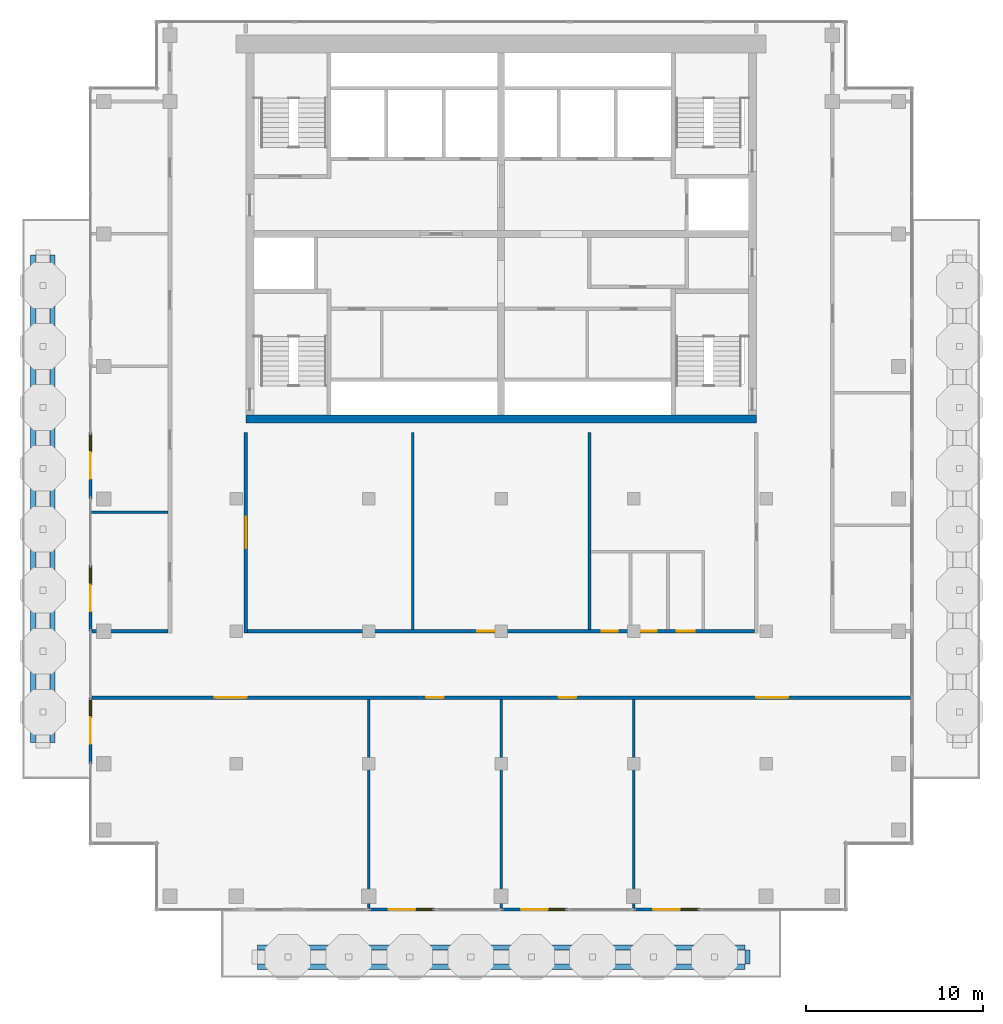
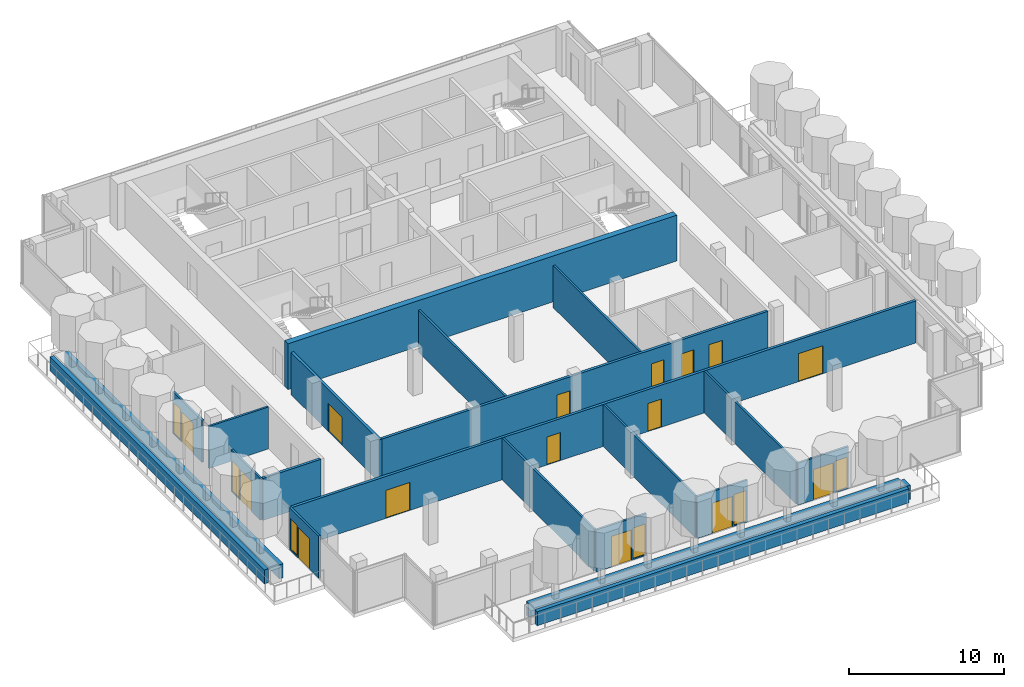
# One storey, part 6 of 12: 22 walls, 15 doors, 6 windows, 21 openings.
"""IFC4 building model written with IfcOpenShell, lengths in metres."""

from ifc_helpers import new_model, si_unit, direction, frame, frame_2d, origin, place, context, subcontext, project, spatial, rectangle, extrude, material, layer, layer_set, type_object, element, fill, save


model = new_model("IFC4")

# Units and contexts
model_context = context("Model", 3, precision=1e-05, world=origin(), true_north=direction((0.0, 1.0)))
body_context = subcontext(model_context, "Body", "Model", "MODEL_VIEW")
ifc_project = project(units=[si_unit("LENGTHUNIT", "METRE"), si_unit("AREAUNIT", "SQUARE_METRE"), si_unit("VOLUMEUNIT", "CUBIC_METRE"), si_unit("PLANEANGLEUNIT", "RADIAN"), si_unit("MASSUNIT", "GRAM", prefix="KILO")], contexts=[model_context])

# Site, building, storey
site_placement = place(None, origin())
site = spatial("IfcSite", under=ifc_project, at=site_placement, CompositionType="ELEMENT")
building_placement = place(site_placement, origin())
building = spatial("IfcBuilding", under=site, at=building_placement, Name="Pilkhan Gate Tower", CompositionType="ELEMENT")
storey_placement = place(building_placement, frame((0.0, 0.0, 258.5)))
storey = spatial("IfcBuildingStorey", under=building, at=storey_placement, Name="L67", CompositionType="ELEMENT", Elevation=258.5)

# Wall
ifc_material_1 = material(Name="Concrete C50/60", Category="concrete")
ifc_layer_1 = layer(ifc_material_1, 0.449951171875)
ifc_layer_set_1 = layer_set([ifc_layer_1], Name="Core wall CW450 C50/60")
wall_type_1 = type_object("IfcWallType", Name="Core wall CW450 C50/60", PredefinedType="SHEAR", material=ifc_layer_set_1)
wall_1_placement = place(storey_placement, frame((60.550048828125, 72.02490234375, 0.0), z_axis=(0.0, 0.0, 1.0), x_axis=(1.0, 0.0, 0.0)))
element("IfcWall", 1, at=wall_1_placement, inside=storey, type_object=wall_type_1, Name="Core wall S L67", PredefinedType="SHEAR", context=body_context, shape_type="SweptSolid", body=[
    extrude(rectangle(XDim=28.89990234375, YDim=0.449951171875, at=frame_2d((14.449951171875, 0.0))), origin(), (0.0, 0.0, 1.0), 3.60009765625),
])

# Wall, openings, doors
ifc_material_2 = material(Name="Dense blockwork", Category="masonry")
ifc_layer_2 = layer(ifc_material_2, 0.199951171875)
ifc_layer_set_2 = layer_set([ifc_layer_2], Name="Corridor wall FW200")
wall_type_2 = type_object("IfcWallType", Name="Corridor wall FW200", PredefinedType="PARTITIONING", material=ifc_layer_set_2)
wall_2_placement = place(storey_placement, frame((51.8349609375, 56.25, 0.0), z_axis=(0.0, 0.0, 1.0), x_axis=(1.0, 0.0, 0.0)))
wall_2 = element("IfcWall", 2, at=wall_2_placement, inside=storey, type_object=wall_type_2, Name="Partition L67", PredefinedType="PARTITIONING", context=body_context, shape_type="SweptSolid", body=[
    extrude(rectangle(XDim=46.330078125, YDim=0.199951171875, at=frame_2d((23.1650390625, 0.0))), origin(), (0.0, 0.0, 1.0), 3.300048828125),
])
opening_1_placement = place(wall_2_placement, frame((6.949951171875, 0.0, 0.0)))
opening_1 = element("IfcOpeningElement", 3, at=opening_1_placement, cuts=wall_2, Name="Opening L67-06", PredefinedType="OPENING", context=body_context, shape_type="SweptSolid", body=[
    extrude(rectangle(XDim=1.800048828125, YDim=2.199951171875, at=frame_2d((0.89990234375, 1.10009765625))), frame((0.0, 0.10986328125, 0.0), z_axis=(0.0, -1.0, 0.0), x_axis=(1.0, 0.0, 0.0)), (0.0, 0.0, 1.0), 0.219970703125),
])
opening_2_placement = place(wall_2_placement, frame((37.614990234375, 0.0, 0.0)))
opening_2 = element("IfcOpeningElement", 4, at=opening_2_placement, cuts=wall_2, Name="Opening L67-07", PredefinedType="OPENING", context=body_context, shape_type="SweptSolid", body=[
    extrude(rectangle(XDim=1.800048828125, YDim=2.199951171875, at=frame_2d((0.89990234375, 1.10009765625))), frame((0.0, 0.10986328125, 0.0), z_axis=(0.0, -1.0, 0.0), x_axis=(1.0, 0.0, 0.0)), (0.0, 0.0, 1.0), 0.219970703125),
])
opening_3_placement = place(wall_2_placement, frame((18.9150390625, 0.0, 0.0)))
opening_3 = element("IfcOpeningElement", 5, at=opening_3_placement, cuts=wall_2, Name="Opening L67-31", PredefinedType="OPENING", context=body_context, shape_type="SweptSolid", body=[
    extrude(rectangle(XDim=1.0, YDim=2.199951171875, at=frame_2d((0.5, 1.10009765625))), frame((0.0, 0.10986328125, 0.0), z_axis=(0.0, -1.0, 0.0), x_axis=(1.0, 0.0, 0.0)), (0.0, 0.0, 1.0), 0.219970703125),
])
opening_4_placement = place(wall_2_placement, frame((26.4150390625, 0.0, 0.0)))
opening_4 = element("IfcOpeningElement", 6, at=opening_4_placement, cuts=wall_2, Name="Opening L67-32", PredefinedType="OPENING", context=body_context, shape_type="SweptSolid", body=[
    extrude(rectangle(XDim=1.0, YDim=2.199951171875, at=frame_2d((0.5, 1.10009765625))), frame((0.0, 0.10986328125, 0.0), z_axis=(0.0, -1.0, 0.0), x_axis=(1.0, 0.0, 0.0)), (0.0, 0.0, 1.0), 0.219970703125),
])
ifc_material_3 = material(Name="Timber glazed double door, 30 minute fire resisting", Category="wood")
door_type_1 = type_object("IfcDoorType", Name="Double door D04 1800x2200", OperationType="DOUBLE_DOOR_SINGLE_SWING", PredefinedType="DOOR", material=ifc_material_3)
door_1_placement = place(opening_1_placement, origin())
door_1 = element("IfcDoor", 7, at=door_1_placement, inside=storey, type_object=door_type_1, Name="Double door", OperationType="DOUBLE_DOOR_SINGLE_SWING", OverallHeight=2.199951171875, OverallWidth=1.800048828125, PredefinedType="DOOR", context=body_context, shape_type="SweptSolid", body=[
    extrude(rectangle(XDim=1.800048828125, YDim=2.199951171875, at=frame_2d((0.89990234375, 1.10009765625))), frame((0.0, 0.02490234375, 0.0), z_axis=(0.0, -1.0, 0.0), x_axis=(1.0, 0.0, 0.0)), (0.0, 0.0, 1.0), 0.050048828125),
])
fill(opening_1, door_1)
door_2_placement = place(opening_2_placement, origin())
door_2 = element("IfcDoor", 8, at=door_2_placement, inside=storey, type_object=door_type_1, Name="Double door", OperationType="DOUBLE_DOOR_SINGLE_SWING", OverallHeight=2.199951171875, OverallWidth=1.800048828125, PredefinedType="DOOR", context=body_context, shape_type="SweptSolid", body=[
    extrude(rectangle(XDim=1.800048828125, YDim=2.199951171875, at=frame_2d((0.89990234375, 1.10009765625))), frame((0.0, 0.02490234375, 0.0), z_axis=(0.0, -1.0, 0.0), x_axis=(1.0, 0.0, 0.0)), (0.0, 0.0, 1.0), 0.050048828125),
])
fill(opening_2, door_2)
ifc_material_4 = material(Name="Timber flush door, 30 minute fire resisting", Category="wood")
door_type_2 = type_object("IfcDoorType", Name="Room door D03 1000x2200", OperationType="SINGLE_SWING_LEFT", PredefinedType="DOOR", material=ifc_material_4)
door_3_placement = place(opening_3_placement, origin())
door_3 = element("IfcDoor", 9, at=door_3_placement, inside=storey, type_object=door_type_2, Name="Room door", OperationType="SINGLE_SWING_LEFT", OverallHeight=2.199951171875, OverallWidth=1.0, PredefinedType="DOOR", context=body_context, shape_type="SweptSolid", body=[
    extrude(rectangle(XDim=1.0, YDim=2.199951171875, at=frame_2d((0.5, 1.10009765625))), frame((0.0, 0.02490234375, 0.0), z_axis=(0.0, -1.0, 0.0), x_axis=(1.0, 0.0, 0.0)), (0.0, 0.0, 1.0), 0.050048828125),
])
fill(opening_3, door_3)
door_4_placement = place(opening_4_placement, origin())
door_4 = element("IfcDoor", 10, at=door_4_placement, inside=storey, type_object=door_type_2, Name="Room door", OperationType="SINGLE_SWING_LEFT", OverallHeight=2.199951171875, OverallWidth=1.0, PredefinedType="DOOR", context=body_context, shape_type="SweptSolid", body=[
    extrude(rectangle(XDim=1.0, YDim=2.199951171875, at=frame_2d((0.5, 1.10009765625))), frame((0.0, 0.02490234375, 0.0), z_axis=(0.0, -1.0, 0.0), x_axis=(1.0, 0.0, 0.0)), (0.0, 0.0, 1.0), 0.050048828125),
])
fill(opening_4, door_4)

# Wall
wall_3_placement = place(storey_placement, frame((51.8349609375, 60.0, 0.0), z_axis=(0.0, 0.0, 1.0), x_axis=(1.0, 0.0, 0.0)))
element("IfcWall", 11, at=wall_3_placement, inside=storey, type_object=wall_type_2, Name="Partition L67", PredefinedType="PARTITIONING", context=body_context, shape_type="SweptSolid", body=[
    extrude(rectangle(XDim=4.31494140625, YDim=0.199951171875, at=frame_2d((2.157470703125, 0.0))), origin(), (0.0, 0.0, 1.0), 3.300048828125),
])

# Wall, openings, doors
wall_4_placement = place(storey_placement, frame((60.64990234375, 60.0, 0.0), z_axis=(0.0, 0.0, 1.0), x_axis=(1.0, 0.0, 0.0)))
wall_4 = element("IfcWall", 12, at=wall_4_placement, inside=storey, type_object=wall_type_2, Name="Partition L67", PredefinedType="PARTITIONING", context=body_context, shape_type="SweptSolid", body=[
    extrude(rectangle(XDim=28.7001953125, YDim=0.199951171875, at=frame_2d((14.35009765625, 0.0))), origin(), (0.0, 0.0, 1.0), 3.300048828125),
])
opening_5_placement = place(wall_4_placement, frame((13.0, 0.0, 0.0)))
opening_5 = element("IfcOpeningElement", 13, at=opening_5_placement, cuts=wall_4, Name="Opening L67-16", PredefinedType="OPENING", context=body_context, shape_type="SweptSolid", body=[
    extrude(rectangle(XDim=1.0, YDim=2.199951171875, at=frame_2d((0.5, 1.10009765625))), frame((0.0, 0.10986328125, 0.0), z_axis=(0.0, -1.0, 0.0), x_axis=(1.0, 0.0, 0.0)), (0.0, 0.0, 1.0), 0.219970703125),
])
opening_6_placement = place(wall_4_placement, frame((20.050048828125, 0.0, 0.0)))
opening_6 = element("IfcOpeningElement", 14, at=opening_6_placement, cuts=wall_4, Name="Opening L67-17", PredefinedType="OPENING", context=body_context, shape_type="SweptSolid", body=[
    extrude(rectangle(XDim=0.89990234375, YDim=2.199951171875, at=frame_2d((0.449951171875, 1.10009765625))), frame((0.0, 0.10986328125, 0.0), z_axis=(0.0, -1.0, 0.0), x_axis=(1.0, 0.0, 0.0)), (0.0, 0.0, 1.0), 0.219970703125),
])
opening_7_placement = place(wall_4_placement, frame((22.27197265625, 0.0, 0.0)))
opening_7 = element("IfcOpeningElement", 15, at=opening_7_placement, cuts=wall_4, Name="Opening L67-18", PredefinedType="OPENING", context=body_context, shape_type="SweptSolid", body=[
    extrude(rectangle(XDim=0.89990234375, YDim=2.199951171875, at=frame_2d((0.449951171875, 1.10009765625))), frame((0.0, 0.10986328125, 0.0), z_axis=(0.0, -1.0, 0.0), x_axis=(1.0, 0.0, 0.0)), (0.0, 0.0, 1.0), 0.219970703125),
])
opening_8_placement = place(wall_4_placement, frame((24.300048828125, 0.0, 0.0)))
opening_8 = element("IfcOpeningElement", 16, at=opening_8_placement, cuts=wall_4, Name="Opening L67-19", PredefinedType="OPENING", context=body_context, shape_type="SweptSolid", body=[
    extrude(rectangle(XDim=1.0, YDim=2.199951171875, at=frame_2d((0.5, 1.10009765625))), frame((0.0, 0.10986328125, 0.0), z_axis=(0.0, -1.0, 0.0), x_axis=(1.0, 0.0, 0.0)), (0.0, 0.0, 1.0), 0.219970703125),
])
ifc_material_5 = material(Name="Timber flush door, outward opening, 30 minute fire resisting", Category="wood")
door_type_3 = type_object("IfcDoorType", Name="Accessible toilet door D07 1000x2200", OperationType="SINGLE_SWING_LEFT", PredefinedType="DOOR", material=ifc_material_5)
door_5_placement = place(opening_8_placement, origin())
door_5 = element("IfcDoor", 17, at=door_5_placement, inside=storey, type_object=door_type_3, Name="Accessible toilet door", OperationType="SINGLE_SWING_LEFT", OverallHeight=2.199951171875, OverallWidth=1.0, PredefinedType="DOOR", context=body_context, shape_type="SweptSolid", body=[
    extrude(rectangle(XDim=1.0, YDim=2.199951171875, at=frame_2d((0.5, 1.10009765625))), frame((0.0, 0.02490234375, 0.0), z_axis=(0.0, -1.0, 0.0), x_axis=(1.0, 0.0, 0.0)), (0.0, 0.0, 1.0), 0.050048828125),
])
fill(opening_8, door_5)
door_6_placement = place(opening_5_placement, origin())
door_6 = element("IfcDoor", 18, at=door_6_placement, inside=storey, type_object=door_type_2, Name="Room door", OperationType="SINGLE_SWING_LEFT", OverallHeight=2.199951171875, OverallWidth=1.0, PredefinedType="DOOR", context=body_context, shape_type="SweptSolid", body=[
    extrude(rectangle(XDim=1.0, YDim=2.199951171875, at=frame_2d((0.5, 1.10009765625))), frame((0.0, 0.02490234375, 0.0), z_axis=(0.0, -1.0, 0.0), x_axis=(1.0, 0.0, 0.0)), (0.0, 0.0, 1.0), 0.050048828125),
])
fill(opening_5, door_6)
door_type_4 = type_object("IfcDoorType", Name="Toilet door D06 900x2200", OperationType="SINGLE_SWING_LEFT", PredefinedType="DOOR", material=ifc_material_4)
door_7_placement = place(opening_6_placement, origin())
door_7 = element("IfcDoor", 19, at=door_7_placement, inside=storey, type_object=door_type_4, Name="Toilet door", OperationType="SINGLE_SWING_RIGHT", OverallHeight=2.199951171875, OverallWidth=0.89990234375, PredefinedType="DOOR", context=body_context, shape_type="SweptSolid", body=[
    extrude(rectangle(XDim=0.89990234375, YDim=2.199951171875, at=frame_2d((0.449951171875, 1.10009765625))), frame((0.0, 0.02490234375, 0.0), z_axis=(0.0, -1.0, 0.0), x_axis=(1.0, 0.0, 0.0)), (0.0, 0.0, 1.0), 0.050048828125),
])
fill(opening_6, door_7)
door_8_placement = place(opening_7_placement, origin())
door_8 = element("IfcDoor", 20, at=door_8_placement, inside=storey, type_object=door_type_4, Name="Toilet door", OperationType="SINGLE_SWING_LEFT", OverallHeight=2.199951171875, OverallWidth=0.89990234375, PredefinedType="DOOR", context=body_context, shape_type="SweptSolid", body=[
    extrude(rectangle(XDim=0.89990234375, YDim=2.199951171875, at=frame_2d((0.449951171875, 1.10009765625))), frame((0.0, 0.02490234375, 0.0), z_axis=(0.0, -1.0, 0.0), x_axis=(1.0, 0.0, 0.0)), (0.0, 0.0, 1.0), 0.050048828125),
])
fill(opening_7, door_8)

# Wall, opening, door
wall_5_placement = place(storey_placement, frame((60.550048828125, 59.89990234375, 0.0), z_axis=(0.0, 0.0, 1.0), x_axis=(0.0, 1.0, 0.0)))
wall_5 = element("IfcWall", 21, at=wall_5_placement, inside=storey, type_object=wall_type_2, Name="Partition L67", PredefinedType="PARTITIONING", context=body_context, shape_type="SweptSolid", body=[
    extrude(rectangle(XDim=11.35009765625, YDim=0.199951171875, at=frame_2d((5.675048828125, 0.0))), origin(), (0.0, 0.0, 1.0), 3.300048828125),
])
opening_9_placement = place(wall_5_placement, frame((4.800048828125, 0.0, 0.0)))
opening_9 = element("IfcOpeningElement", 22, at=opening_9_placement, cuts=wall_5, Name="Opening L67-15", PredefinedType="OPENING", context=body_context, shape_type="SweptSolid", body=[
    extrude(rectangle(XDim=1.800048828125, YDim=2.199951171875, at=frame_2d((0.89990234375, 1.10009765625))), frame((0.0, 0.10986328125, 0.0), z_axis=(0.0, -1.0, 0.0), x_axis=(1.0, 0.0, 0.0)), (0.0, 0.0, 1.0), 0.219970703125),
])
door_9_placement = place(opening_9_placement, origin())
door_9 = element("IfcDoor", 23, at=door_9_placement, inside=storey, type_object=door_type_1, Name="Double door", OperationType="DOUBLE_DOOR_SINGLE_SWING", OverallHeight=2.199951171875, OverallWidth=1.800048828125, PredefinedType="DOOR", context=body_context, shape_type="SweptSolid", body=[
    extrude(rectangle(XDim=1.800048828125, YDim=2.199951171875, at=frame_2d((0.89990234375, 1.10009765625))), frame((0.0, 0.02490234375, 0.0), z_axis=(0.0, -1.0, 0.0), x_axis=(1.0, 0.0, 0.0)), (0.0, 0.0, 1.0), 0.050048828125),
])
fill(opening_9, door_9)

# Wall, openings, door, window
ifc_material_6 = material(Name="Pale anodised aluminium, clear laminated glazing", Category="aluminium")
ifc_layer_3 = layer(ifc_material_6, 0.14990234375)
ifc_layer_set_3 = layer_set([ifc_layer_3], Name="Facade infill wall IW150")
wall_type_3 = type_object("IfcWallType", Name="Facade infill wall IW150", PredefinedType="SOLIDWALL", material=ifc_layer_set_3)
wall_6_placement = place(storey_placement, frame((51.75, 52.5, 0.0), z_axis=(0.0, 0.0, 1.0), x_axis=(0.0, 1.0, 0.0)))
wall_6 = element("IfcWall", 24, at=wall_6_placement, inside=storey, type_object=wall_type_3, Name="Infill wall L67 W", PredefinedType="SOLIDWALL", context=body_context, shape_type="SweptSolid", body=[
    extrude(rectangle(XDim=3.75, YDim=0.14990234375, at=frame_2d((1.875, 0.0))), origin(), (0.0, 0.0, 1.0), 3.300048828125),
])
opening_10_placement = place(wall_6_placement, frame((1.125, 0.0, 0.0)))
opening_10 = element("IfcOpeningElement", 25, at=opening_10_placement, cuts=wall_6, Name="Opening D5", PredefinedType="OPENING", context=body_context, shape_type="SweptSolid", body=[
    extrude(rectangle(XDim=1.5, YDim=2.39990234375, at=frame_2d((0.75, 1.199951171875))), frame((0.0, 0.0849609375, 0.0), z_axis=(0.0, -1.0, 0.0), x_axis=(1.0, 0.0, 0.0)), (0.0, 0.0, 1.0), 0.169921875),
])
opening_11_placement = place(wall_6_placement, frame((2.737548828125, 0.0, 0.10009765625)))
opening_11 = element("IfcOpeningElement", 26, at=opening_11_placement, cuts=wall_6, Name="Opening W1", PredefinedType="OPENING", context=body_context, shape_type="SweptSolid", body=[
    extrude(rectangle(XDim=0.89990234375, YDim=2.39990234375, at=frame_2d((0.449951171875, 1.199951171875))), frame((0.0, 0.0849609375, 0.0), z_axis=(0.0, -1.0, 0.0), x_axis=(1.0, 0.0, 0.0)), (0.0, 0.0, 1.0), 0.169921875),
])
ifc_material_7 = material(Name="Pale anodised aluminium, clear glazing", Category="aluminium")
door_type_5 = type_object("IfcDoorType", Name="Terrace door D5 1500x2400", OperationType="DOUBLE_DOOR_SINGLE_SWING", PredefinedType="DOOR", material=ifc_material_7)
door_10_placement = place(opening_10_placement, origin())
door_10 = element("IfcDoor", 27, at=door_10_placement, inside=storey, type_object=door_type_5, Name="Terrace door L67", OperationType="DOUBLE_DOOR_SINGLE_SWING", OverallHeight=2.39990234375, OverallWidth=1.5, PredefinedType="DOOR", context=body_context, shape_type="SweptSolid", body=[
    extrude(rectangle(XDim=1.5, YDim=2.39990234375, at=frame_2d((0.75, 1.199951171875))), frame((0.0, 0.02490234375, 0.0), z_axis=(0.0, -1.0, 0.0), x_axis=(1.0, 0.0, 0.0)), (0.0, 0.0, 1.0), 0.050048828125),
])
fill(opening_10, door_10)
ifc_material_8 = material(Name="Pale anodised aluminium, clear double glazing", Category="aluminium")
window_type = type_object("IfcWindowType", Name="Window W1 900x2400", PartitioningType="SINGLE_PANEL", PredefinedType="WINDOW", material=ifc_material_8)
window_1_placement = place(opening_11_placement, origin())
window_1 = element("IfcWindow", 28, at=window_1_placement, inside=storey, type_object=window_type, Name="Window L67", OverallHeight=2.39990234375, OverallWidth=0.89990234375, PartitioningType="SINGLE_PANEL", PredefinedType="WINDOW", context=body_context, shape_type="SweptSolid", body=[
    extrude(rectangle(XDim=0.89990234375, YDim=2.39990234375, at=frame_2d((0.449951171875, 1.199951171875))), frame((0.0, 0.030029296875, 0.0), z_axis=(0.0, -1.0, 0.0), x_axis=(1.0, 0.0, 0.0)), (0.0, 0.0, 1.0), 0.06005859375),
])
fill(opening_11, window_1)

wall_7_placement = place(storey_placement, frame((51.75, 60.0, 0.0), z_axis=(0.0, 0.0, 1.0), x_axis=(0.0, 1.0, 0.0)))
wall_7 = element("IfcWall", 29, at=wall_7_placement, inside=storey, type_object=wall_type_3, Name="Infill wall L67 W", PredefinedType="SOLIDWALL", context=body_context, shape_type="SweptSolid", body=[
    extrude(rectangle(XDim=3.75, YDim=0.14990234375, at=frame_2d((1.875, 0.0))), origin(), (0.0, 0.0, 1.0), 3.300048828125),
])
opening_12_placement = place(wall_7_placement, frame((1.125, 0.0, 0.0)))
opening_12 = element("IfcOpeningElement", 30, at=opening_12_placement, cuts=wall_7, Name="Opening D5", PredefinedType="OPENING", context=body_context, shape_type="SweptSolid", body=[
    extrude(rectangle(XDim=1.5, YDim=2.39990234375, at=frame_2d((0.75, 1.199951171875))), frame((0.0, 0.0849609375, 0.0), z_axis=(0.0, -1.0, 0.0), x_axis=(1.0, 0.0, 0.0)), (0.0, 0.0, 1.0), 0.169921875),
])
opening_13_placement = place(wall_7_placement, frame((2.737548828125, 0.0, 0.10009765625)))
opening_13 = element("IfcOpeningElement", 31, at=opening_13_placement, cuts=wall_7, Name="Opening W1", PredefinedType="OPENING", context=body_context, shape_type="SweptSolid", body=[
    extrude(rectangle(XDim=0.89990234375, YDim=2.39990234375, at=frame_2d((0.449951171875, 1.199951171875))), frame((0.0, 0.0849609375, 0.0), z_axis=(0.0, -1.0, 0.0), x_axis=(1.0, 0.0, 0.0)), (0.0, 0.0, 1.0), 0.169921875),
])
door_11_placement = place(opening_12_placement, origin())
door_11 = element("IfcDoor", 32, at=door_11_placement, inside=storey, type_object=door_type_5, Name="Terrace door L67", OperationType="DOUBLE_DOOR_SINGLE_SWING", OverallHeight=2.39990234375, OverallWidth=1.5, PredefinedType="DOOR", context=body_context, shape_type="SweptSolid", body=[
    extrude(rectangle(XDim=1.5, YDim=2.39990234375, at=frame_2d((0.75, 1.199951171875))), frame((0.0, 0.02490234375, 0.0), z_axis=(0.0, -1.0, 0.0), x_axis=(1.0, 0.0, 0.0)), (0.0, 0.0, 1.0), 0.050048828125),
])
fill(opening_12, door_11)
window_2_placement = place(opening_13_placement, origin())
window_2 = element("IfcWindow", 33, at=window_2_placement, inside=storey, type_object=window_type, Name="Window L67", OverallHeight=2.39990234375, OverallWidth=0.89990234375, PartitioningType="SINGLE_PANEL", PredefinedType="WINDOW", context=body_context, shape_type="SweptSolid", body=[
    extrude(rectangle(XDim=0.89990234375, YDim=2.39990234375, at=frame_2d((0.449951171875, 1.199951171875))), frame((0.0, 0.030029296875, 0.0), z_axis=(0.0, -1.0, 0.0), x_axis=(1.0, 0.0, 0.0)), (0.0, 0.0, 1.0), 0.06005859375),
])
fill(opening_13, window_2)

wall_8_placement = place(storey_placement, frame((51.75, 67.5, 0.0), z_axis=(0.0, 0.0, 1.0), x_axis=(0.0, 1.0, 0.0)))
wall_8 = element("IfcWall", 34, at=wall_8_placement, inside=storey, type_object=wall_type_3, Name="Infill wall L67 W", PredefinedType="SOLIDWALL", context=body_context, shape_type="SweptSolid", body=[
    extrude(rectangle(XDim=3.75, YDim=0.14990234375, at=frame_2d((1.875, 0.0))), origin(), (0.0, 0.0, 1.0), 3.300048828125),
])
opening_14_placement = place(wall_8_placement, frame((1.125, 0.0, 0.0)))
opening_14 = element("IfcOpeningElement", 35, at=opening_14_placement, cuts=wall_8, Name="Opening D5", PredefinedType="OPENING", context=body_context, shape_type="SweptSolid", body=[
    extrude(rectangle(XDim=1.5, YDim=2.39990234375, at=frame_2d((0.75, 1.199951171875))), frame((0.0, 0.0849609375, 0.0), z_axis=(0.0, -1.0, 0.0), x_axis=(1.0, 0.0, 0.0)), (0.0, 0.0, 1.0), 0.169921875),
])
opening_15_placement = place(wall_8_placement, frame((2.737548828125, 0.0, 0.10009765625)))
opening_15 = element("IfcOpeningElement", 36, at=opening_15_placement, cuts=wall_8, Name="Opening W1", PredefinedType="OPENING", context=body_context, shape_type="SweptSolid", body=[
    extrude(rectangle(XDim=0.89990234375, YDim=2.39990234375, at=frame_2d((0.449951171875, 1.199951171875))), frame((0.0, 0.0849609375, 0.0), z_axis=(0.0, -1.0, 0.0), x_axis=(1.0, 0.0, 0.0)), (0.0, 0.0, 1.0), 0.169921875),
])
door_12_placement = place(opening_14_placement, origin())
door_12 = element("IfcDoor", 37, at=door_12_placement, inside=storey, type_object=door_type_5, Name="Terrace door L67", OperationType="DOUBLE_DOOR_SINGLE_SWING", OverallHeight=2.39990234375, OverallWidth=1.5, PredefinedType="DOOR", context=body_context, shape_type="SweptSolid", body=[
    extrude(rectangle(XDim=1.5, YDim=2.39990234375, at=frame_2d((0.75, 1.199951171875))), frame((0.0, 0.02490234375, 0.0), z_axis=(0.0, -1.0, 0.0), x_axis=(1.0, 0.0, 0.0)), (0.0, 0.0, 1.0), 0.050048828125),
])
fill(opening_14, door_12)
window_3_placement = place(opening_15_placement, origin())
window_3 = element("IfcWindow", 38, at=window_3_placement, inside=storey, type_object=window_type, Name="Window L67", OverallHeight=2.39990234375, OverallWidth=0.89990234375, PartitioningType="SINGLE_PANEL", PredefinedType="WINDOW", context=body_context, shape_type="SweptSolid", body=[
    extrude(rectangle(XDim=0.89990234375, YDim=2.39990234375, at=frame_2d((0.449951171875, 1.199951171875))), frame((0.0, 0.030029296875, 0.0), z_axis=(0.0, -1.0, 0.0), x_axis=(1.0, 0.0, 0.0)), (0.0, 0.0, 1.0), 0.06005859375),
])
fill(opening_15, window_3)

wall_9_placement = place(storey_placement, frame((71.25, 44.25, 0.0), z_axis=(0.0, 0.0, 1.0), x_axis=(-1.0, 0.0, 0.0)))
wall_9 = element("IfcWall", 39, at=wall_9_placement, inside=storey, type_object=wall_type_3, Name="Infill wall L67 S", PredefinedType="SOLIDWALL", context=body_context, shape_type="SweptSolid", body=[
    extrude(rectangle(XDim=3.75, YDim=0.14990234375, at=frame_2d((1.875, 0.0))), origin(), (0.0, 0.0, 1.0), 3.300048828125),
])
opening_16_placement = place(wall_9_placement, frame((0.112548828125, 0.0, 0.10009765625)))
opening_16 = element("IfcOpeningElement", 40, at=opening_16_placement, cuts=wall_9, Name="Opening W1", PredefinedType="OPENING", context=body_context, shape_type="SweptSolid", body=[
    extrude(rectangle(XDim=0.89990234375, YDim=2.39990234375, at=frame_2d((0.449951171875, 1.199951171875))), frame((0.0, 0.0849609375, 0.0), z_axis=(0.0, -1.0, 0.0), x_axis=(1.0, 0.0, 0.0)), (0.0, 0.0, 1.0), 0.169921875),
])
opening_17_placement = place(wall_9_placement, frame((1.125, 0.0, 0.0)))
opening_17 = element("IfcOpeningElement", 41, at=opening_17_placement, cuts=wall_9, Name="Opening D5", PredefinedType="OPENING", context=body_context, shape_type="SweptSolid", body=[
    extrude(rectangle(XDim=1.5, YDim=2.39990234375, at=frame_2d((0.75, 1.199951171875))), frame((0.0, 0.0849609375, 0.0), z_axis=(0.0, -1.0, 0.0), x_axis=(1.0, 0.0, 0.0)), (0.0, 0.0, 1.0), 0.169921875),
])
door_13_placement = place(opening_17_placement, origin())
door_13 = element("IfcDoor", 42, at=door_13_placement, inside=storey, type_object=door_type_5, Name="Terrace door L67", OperationType="DOUBLE_DOOR_SINGLE_SWING", OverallHeight=2.39990234375, OverallWidth=1.5, PredefinedType="DOOR", context=body_context, shape_type="SweptSolid", body=[
    extrude(rectangle(XDim=1.5, YDim=2.39990234375, at=frame_2d((0.75, 1.199951171875))), frame((0.0, 0.02490234375, 0.0), z_axis=(0.0, -1.0, 0.0), x_axis=(1.0, 0.0, 0.0)), (0.0, 0.0, 1.0), 0.050048828125),
])
fill(opening_17, door_13)
window_4_placement = place(opening_16_placement, origin())
window_4 = element("IfcWindow", 43, at=window_4_placement, inside=storey, type_object=window_type, Name="Window L67", OverallHeight=2.39990234375, OverallWidth=0.89990234375, PartitioningType="SINGLE_PANEL", PredefinedType="WINDOW", context=body_context, shape_type="SweptSolid", body=[
    extrude(rectangle(XDim=0.89990234375, YDim=2.39990234375, at=frame_2d((0.449951171875, 1.199951171875))), frame((0.0, 0.030029296875, 0.0), z_axis=(0.0, -1.0, 0.0), x_axis=(1.0, 0.0, 0.0)), (0.0, 0.0, 1.0), 0.06005859375),
])
fill(opening_16, window_4)

wall_10_placement = place(storey_placement, frame((78.75, 44.25, 0.0), z_axis=(0.0, 0.0, 1.0), x_axis=(-1.0, 0.0, 0.0)))
wall_10 = element("IfcWall", 44, at=wall_10_placement, inside=storey, type_object=wall_type_3, Name="Infill wall L67 S", PredefinedType="SOLIDWALL", context=body_context, shape_type="SweptSolid", body=[
    extrude(rectangle(XDim=3.75, YDim=0.14990234375, at=frame_2d((1.875, 0.0))), origin(), (0.0, 0.0, 1.0), 3.300048828125),
])
opening_18_placement = place(wall_10_placement, frame((0.112548828125, 0.0, 0.10009765625)))
opening_18 = element("IfcOpeningElement", 45, at=opening_18_placement, cuts=wall_10, Name="Opening W1", PredefinedType="OPENING", context=body_context, shape_type="SweptSolid", body=[
    extrude(rectangle(XDim=0.89990234375, YDim=2.39990234375, at=frame_2d((0.449951171875, 1.199951171875))), frame((0.0, 0.0849609375, 0.0), z_axis=(0.0, -1.0, 0.0), x_axis=(1.0, 0.0, 0.0)), (0.0, 0.0, 1.0), 0.169921875),
])
opening_19_placement = place(wall_10_placement, frame((1.125, 0.0, 0.0)))
opening_19 = element("IfcOpeningElement", 46, at=opening_19_placement, cuts=wall_10, Name="Opening D5", PredefinedType="OPENING", context=body_context, shape_type="SweptSolid", body=[
    extrude(rectangle(XDim=1.5, YDim=2.39990234375, at=frame_2d((0.75, 1.199951171875))), frame((0.0, 0.0849609375, 0.0), z_axis=(0.0, -1.0, 0.0), x_axis=(1.0, 0.0, 0.0)), (0.0, 0.0, 1.0), 0.169921875),
])
door_14_placement = place(opening_19_placement, origin())
door_14 = element("IfcDoor", 47, at=door_14_placement, inside=storey, type_object=door_type_5, Name="Terrace door L67", OperationType="DOUBLE_DOOR_SINGLE_SWING", OverallHeight=2.39990234375, OverallWidth=1.5, PredefinedType="DOOR", context=body_context, shape_type="SweptSolid", body=[
    extrude(rectangle(XDim=1.5, YDim=2.39990234375, at=frame_2d((0.75, 1.199951171875))), frame((0.0, 0.02490234375, 0.0), z_axis=(0.0, -1.0, 0.0), x_axis=(1.0, 0.0, 0.0)), (0.0, 0.0, 1.0), 0.050048828125),
])
fill(opening_19, door_14)
window_5_placement = place(opening_18_placement, origin())
window_5 = element("IfcWindow", 48, at=window_5_placement, inside=storey, type_object=window_type, Name="Window L67", OverallHeight=2.39990234375, OverallWidth=0.89990234375, PartitioningType="SINGLE_PANEL", PredefinedType="WINDOW", context=body_context, shape_type="SweptSolid", body=[
    extrude(rectangle(XDim=0.89990234375, YDim=2.39990234375, at=frame_2d((0.449951171875, 1.199951171875))), frame((0.0, 0.030029296875, 0.0), z_axis=(0.0, -1.0, 0.0), x_axis=(1.0, 0.0, 0.0)), (0.0, 0.0, 1.0), 0.06005859375),
])
fill(opening_18, window_5)

wall_11_placement = place(storey_placement, frame((86.25, 44.25, 0.0), z_axis=(0.0, 0.0, 1.0), x_axis=(-1.0, 0.0, 0.0)))
wall_11 = element("IfcWall", 49, at=wall_11_placement, inside=storey, type_object=wall_type_3, Name="Infill wall L67 S", PredefinedType="SOLIDWALL", context=body_context, shape_type="SweptSolid", body=[
    extrude(rectangle(XDim=3.75, YDim=0.14990234375, at=frame_2d((1.875, 0.0))), origin(), (0.0, 0.0, 1.0), 3.300048828125),
])
opening_20_placement = place(wall_11_placement, frame((0.112548828125, 0.0, 0.10009765625)))
opening_20 = element("IfcOpeningElement", 50, at=opening_20_placement, cuts=wall_11, Name="Opening W1", PredefinedType="OPENING", context=body_context, shape_type="SweptSolid", body=[
    extrude(rectangle(XDim=0.89990234375, YDim=2.39990234375, at=frame_2d((0.449951171875, 1.199951171875))), frame((0.0, 0.0849609375, 0.0), z_axis=(0.0, -1.0, 0.0), x_axis=(1.0, 0.0, 0.0)), (0.0, 0.0, 1.0), 0.169921875),
])
opening_21_placement = place(wall_11_placement, frame((1.125, 0.0, 0.0)))
opening_21 = element("IfcOpeningElement", 51, at=opening_21_placement, cuts=wall_11, Name="Opening D5", PredefinedType="OPENING", context=body_context, shape_type="SweptSolid", body=[
    extrude(rectangle(XDim=1.5, YDim=2.39990234375, at=frame_2d((0.75, 1.199951171875))), frame((0.0, 0.0849609375, 0.0), z_axis=(0.0, -1.0, 0.0), x_axis=(1.0, 0.0, 0.0)), (0.0, 0.0, 1.0), 0.169921875),
])
door_15_placement = place(opening_21_placement, origin())
door_15 = element("IfcDoor", 52, at=door_15_placement, inside=storey, type_object=door_type_5, Name="Terrace door L67", OperationType="DOUBLE_DOOR_SINGLE_SWING", OverallHeight=2.39990234375, OverallWidth=1.5, PredefinedType="DOOR", context=body_context, shape_type="SweptSolid", body=[
    extrude(rectangle(XDim=1.5, YDim=2.39990234375, at=frame_2d((0.75, 1.199951171875))), frame((0.0, 0.02490234375, 0.0), z_axis=(0.0, -1.0, 0.0), x_axis=(1.0, 0.0, 0.0)), (0.0, 0.0, 1.0), 0.050048828125),
])
fill(opening_21, door_15)
window_6_placement = place(opening_20_placement, origin())
window_6 = element("IfcWindow", 53, at=window_6_placement, inside=storey, type_object=window_type, Name="Window L67", OverallHeight=2.39990234375, OverallWidth=0.89990234375, PartitioningType="SINGLE_PANEL", PredefinedType="WINDOW", context=body_context, shape_type="SweptSolid", body=[
    extrude(rectangle(XDim=0.89990234375, YDim=2.39990234375, at=frame_2d((0.449951171875, 1.199951171875))), frame((0.0, 0.030029296875, 0.0), z_axis=(0.0, -1.0, 0.0), x_axis=(1.0, 0.0, 0.0)), (0.0, 0.0, 1.0), 0.06005859375),
])
fill(opening_20, window_6)

# Walls
ifc_material_9 = material(Name="Blockwork partition, plastered both sides", Category="masonry")
ifc_layer_4 = layer(ifc_material_9, 0.14990234375)
ifc_layer_set_4 = layer_set([ifc_layer_4], Name="Partition PW150")
wall_type_4 = type_object("IfcWallType", Name="Partition PW150", PredefinedType="PARTITIONING", material=ifc_layer_set_4)
wall_12_placement = place(storey_placement, frame((51.735107421875, 66.75, 0.0), z_axis=(0.0, 0.0, 1.0), x_axis=(1.0, 0.0, 0.0)))
element("IfcWall", 54, at=wall_12_placement, inside=storey, type_object=wall_type_4, Name="Partition L67", PredefinedType="PARTITIONING", context=body_context, shape_type="SweptSolid", body=[
    extrude(rectangle(XDim=4.414794921875, YDim=0.14990234375, at=frame_2d((2.20751953125, 0.0))), origin(), (0.0, 0.0, 1.0), 3.300048828125),
])
wall_13_placement = place(storey_placement, frame((67.5, 44.3349609375, 0.0), z_axis=(0.0, 0.0, 1.0), x_axis=(0.0, 1.0, 0.0)))
element("IfcWall", 55, at=wall_13_placement, inside=storey, type_object=wall_type_4, Name="Partition L67", PredefinedType="PARTITIONING", context=body_context, shape_type="SweptSolid", body=[
    extrude(rectangle(XDim=11.81494140625, YDim=0.14990234375, at=frame_2d((5.907470703125, 0.0))), origin(), (0.0, 0.0, 1.0), 3.300048828125),
])
wall_14_placement = place(storey_placement, frame((70.0, 60.10009765625, 0.0), z_axis=(0.0, 0.0, 1.0), x_axis=(0.0, 1.0, 0.0)))
element("IfcWall", 56, at=wall_14_placement, inside=storey, type_object=wall_type_4, Name="Partition L67", PredefinedType="PARTITIONING", context=body_context, shape_type="SweptSolid", body=[
    extrude(rectangle(XDim=11.14990234375, YDim=0.14990234375, at=frame_2d((5.574951171875, 0.0))), origin(), (0.0, 0.0, 1.0), 3.300048828125),
])
wall_15_placement = place(storey_placement, frame((75.0, 44.3349609375, 0.0), z_axis=(0.0, 0.0, 1.0), x_axis=(0.0, 1.0, 0.0)))
element("IfcWall", 57, at=wall_15_placement, inside=storey, type_object=wall_type_4, Name="Partition L67", PredefinedType="PARTITIONING", context=body_context, shape_type="SweptSolid", body=[
    extrude(rectangle(XDim=11.81494140625, YDim=0.14990234375, at=frame_2d((5.907470703125, 0.0))), origin(), (0.0, 0.0, 1.0), 3.300048828125),
])
wall_16_placement = place(storey_placement, frame((80.0, 60.10009765625, 0.0), z_axis=(0.0, 0.0, 1.0), x_axis=(0.0, 1.0, 0.0)))
element("IfcWall", 58, at=wall_16_placement, inside=storey, type_object=wall_type_4, Name="Partition L67", PredefinedType="PARTITIONING", context=body_context, shape_type="SweptSolid", body=[
    extrude(rectangle(XDim=11.14990234375, YDim=0.14990234375, at=frame_2d((5.574951171875, 0.0))), origin(), (0.0, 0.0, 1.0), 3.300048828125),
])
wall_17_placement = place(storey_placement, frame((82.5, 44.3349609375, 0.0), z_axis=(0.0, 0.0, 1.0), x_axis=(0.0, 1.0, 0.0)))
element("IfcWall", 59, at=wall_17_placement, inside=storey, type_object=wall_type_4, Name="Partition L67", PredefinedType="PARTITIONING", context=body_context, shape_type="SweptSolid", body=[
    extrude(rectangle(XDim=11.81494140625, YDim=0.14990234375, at=frame_2d((5.907470703125, 0.0))), origin(), (0.0, 0.0, 1.0), 3.300048828125),
])
ifc_material_10 = material(Name="Concrete C40/50", Category="concrete")
ifc_layer_5 = layer(ifc_material_10, 0.300048828125)
ifc_layer_set_5 = layer_set([ifc_layer_5], Name="Terrace planter TP800")
wall_type_5 = type_object("IfcWallType", Name="Terrace planter TP800", PredefinedType="USERDEFINED", material=ifc_layer_set_5)
for number, where, z_axis, x_axis, name in (
    (60, (88.800048828125, 41.0, 0.0), (0.0, 0.0, 1.0), (-1.0, 0.0, 0.0), "Terrace planter L67"),
    (61, (88.800048828125, 42.10009765625, 0.0), (0.0, 0.0, 1.0), (-1.0, 0.0, 0.0), "Terrace planter L67"),
):
    element("IfcWall", number, at=place(storey_placement, frame(where, z_axis=z_axis, x_axis=x_axis)), inside=storey, type_object=wall_type_5, Name=name, ObjectType="TERRACE PLANTER", PredefinedType="USERDEFINED", context=body_context, shape_type="SweptSolid", body=[
        extrude(rectangle(XDim=27.60009765625, YDim=0.300048828125, at=frame_2d((13.800048828125, 0.0))), origin(), (0.0, 0.0, 1.0), 1.10009765625),
    ])
wall_18_placement = place(storey_placement, frame((88.949951171875, 41.949951171875, 0.0), z_axis=(0.0, 0.0, 1.0), x_axis=(0.0, -1.0, 0.0)))
element("IfcWall", 62, at=wall_18_placement, inside=storey, type_object=wall_type_5, Name="Terrace planter L67", ObjectType="TERRACE PLANTER", PredefinedType="USERDEFINED", context=body_context, shape_type="SweptSolid", body=[
    extrude(rectangle(XDim=0.800048828125, YDim=0.300048828125, at=frame_2d((0.39990234375, 0.0))), origin(), (0.0, 0.0, 1.0), 1.10009765625),
])
for number, where, z_axis, x_axis, name in (
    (63, (48.5, 53.699951171875, 0.0), (0.0, 0.0, 1.0), (0.0, 1.0, 0.0), "Terrace planter L67"),
    (64, (49.60009765625, 53.699951171875, 0.0), (0.0, 0.0, 1.0), (0.0, 1.0, 0.0), "Terrace planter L67"),
):
    element("IfcWall", number, at=place(storey_placement, frame(where, z_axis=z_axis, x_axis=x_axis)), inside=storey, type_object=wall_type_5, Name=name, ObjectType="TERRACE PLANTER", PredefinedType="USERDEFINED", context=body_context, shape_type="SweptSolid", body=[
        extrude(rectangle(XDim=27.60009765625, YDim=0.300048828125, at=frame_2d((13.800048828125, 0.0))), origin(), (0.0, 0.0, 1.0), 1.10009765625),
    ])

save(model, "model.ifc")
